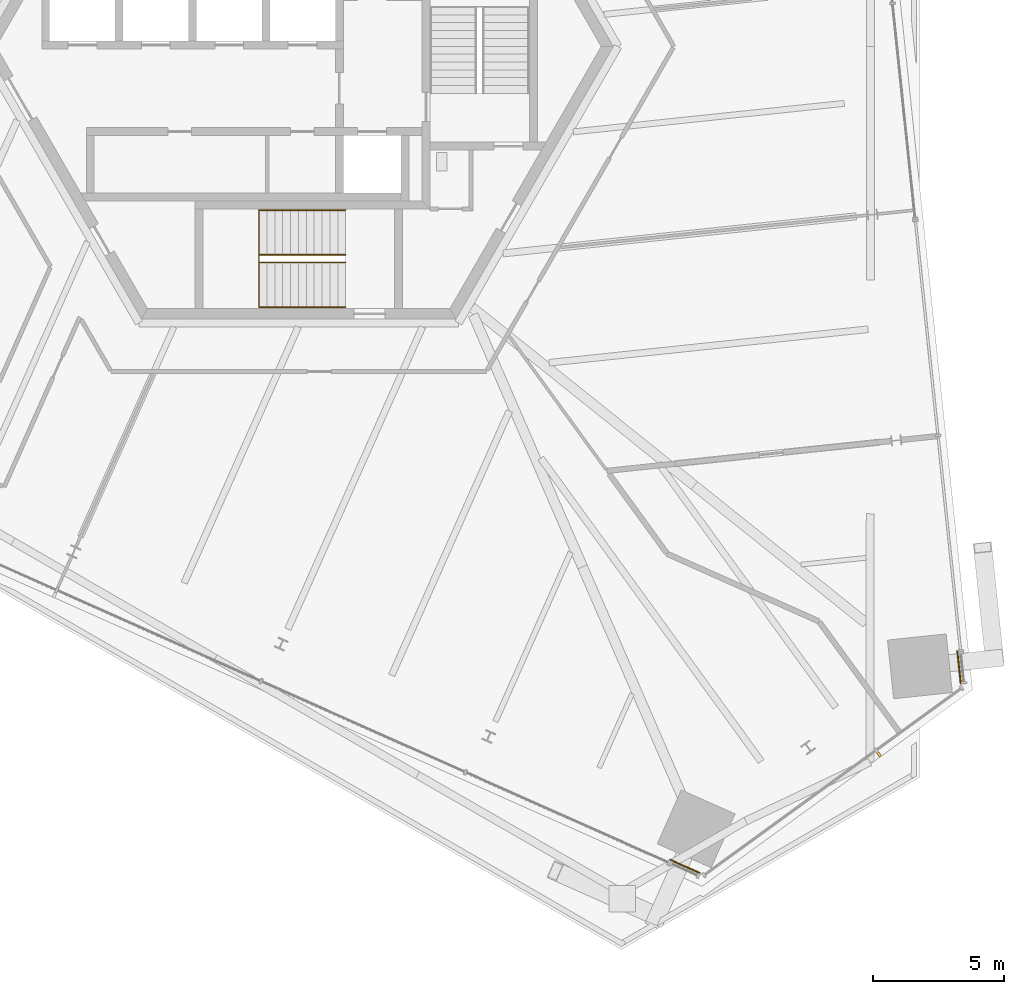
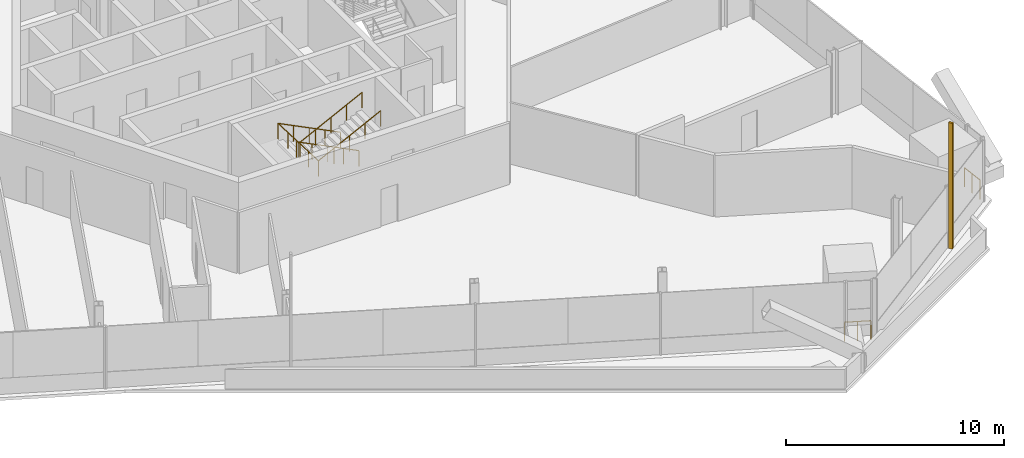
# One storey, part 21 of 24: 4 railings, 1 shading device.
"""IFC4 building model written with IfcOpenShell, lengths in metres."""

from ifc_helpers import new_model, si_unit, direction, frame, origin, origin_2d, place, context, subcontext, project, spatial, rectangle, circle, extrude, source, transform, mapped, material, type_object, element, save


model = new_model("IFC4")

# Units and contexts
model_context = context("Model", 3, precision=1e-05, world=origin(), true_north=direction((0.0, 1.0)))
body_context = subcontext(model_context, "Body", "Model", "MODEL_VIEW")
ifc_project = project(units=[si_unit("LENGTHUNIT", "METRE"), si_unit("AREAUNIT", "SQUARE_METRE"), si_unit("VOLUMEUNIT", "CUBIC_METRE"), si_unit("PLANEANGLEUNIT", "RADIAN"), si_unit("MASSUNIT", "GRAM", prefix="KILO")], contexts=[model_context])

# Site, building, storey
site_placement = place(None, origin())
site = spatial("IfcSite", under=ifc_project, at=site_placement, CompositionType="ELEMENT")
building_placement = place(site_placement, origin())
building = spatial("IfcBuilding", under=site, at=building_placement, Name="Triune Harvest Tower", CompositionType="ELEMENT")
storey_placement = place(building_placement, frame((0.0, 0.0, 58.5)))
storey = spatial("IfcBuildingStorey", under=building, at=storey_placement, Name="L13", CompositionType="ELEMENT", Elevation=58.5)

# Railings
ifc_material_1 = material(Name="Glass", Category="glass")
railing_type_1 = type_object("IfcRailingType", Name="GD-3 facade guard 1100", PredefinedType="GUARDRAIL", material=ifc_material_1)
railing_1_placement = place(storey_placement, frame((25.25, -24.27978515625, 0.0)))
element("IfcRailing", 1, at=railing_1_placement, inside=storey, type_object=railing_type_1, Name="Facade guard B2-F1 L13.1.1", PredefinedType="GUARDRAIL", context=body_context, shape_type="SweptSolid", body=[
    extrude(circle(Radius=0.02392578125, at=origin_2d()), frame((0.0, 0.0, 1.076171875), z_axis=(-0.104507952309, 0.994524050943, 0.0), x_axis=(-0.994524050943, -0.104507952309, 0.0)), (0.0, 0.0, 1.0), 1.2216796875),
    extrude(circle(Radius=0.02099609375, at=origin_2d()), origin(), (0.0, 0.0, 1.0), 1.052001953125),
    extrude(circle(Radius=0.02099609375, at=origin_2d()), frame((-0.06396484375, 0.607421875, 0.0)), (0.0, 0.0, 1.0), 1.052001953125),
    extrude(circle(Radius=0.02099609375, at=origin_2d()), frame((-0.127685546875, 1.215087890625, 0.0)), (0.0, 0.0, 1.0), 1.052001953125),
])
railing_2_placement = place(storey_placement, frame((14.17236328125, -31.02001953125, 0.0)))
element("IfcRailing", 2, at=railing_2_placement, inside=storey, type_object=railing_type_1, Name="Facade guard B2-F5 L13.1.2", PredefinedType="GUARDRAIL", context=body_context, shape_type="SweptSolid", body=[
    extrude(circle(Radius=0.02392578125, at=origin_2d()), frame((0.0, 0.0, 1.076171875), z_axis=(0.913547742242, -0.406731511744, 0.0), x_axis=(0.406731511744, 0.913547742242, 0.0)), (0.0, 0.0, 1.0), 1.22216796875),
    extrude(circle(Radius=0.02099609375, at=origin_2d()), origin(), (0.0, 0.0, 1.0), 1.052001953125),
    extrude(circle(Radius=0.02099609375, at=origin_2d()), frame((0.55810546875, -0.24853515625, 0.0)), (0.0, 0.0, 1.0), 1.052001953125),
    extrude(circle(Radius=0.02099609375, at=origin_2d()), frame((1.116455078125, -0.4970703125, 0.0)), (0.0, 0.0, 1.0), 1.052001953125),
])
ifc_material_2 = material(Name="Stainless steel AISI 316", Category="steel")
railing_type_2 = type_object("IfcRailingType", Name="Stair handrail", PredefinedType="HANDRAIL", material=ifc_material_2)
shared_shape_1 = source(origin(), body_context, "Body", "SweptSolid", [
    extrude(circle(Radius=0.02392578125, at=origin_2d()), frame((0.0, 0.0, 0.8759765625), z_axis=(-0.894413956696, 0.0, 0.447240063129), x_axis=(0.0, -1.0, 0.0)), (0.0, 0.0, 1.0), 3.689697265625),
    extrude(circle(Radius=0.02392578125, at=origin_2d()), frame((-3.300048828125, 0.0, 2.52587890625), z_axis=(0.0, -0.999180289278, 0.040481471304), x_axis=(1.0, 0.0, 0.0)), (0.0, 0.0, 1.0), 3.702880859375),
    extrude(circle(Radius=0.02392578125, at=origin_2d()), frame((-3.300048828125, -3.699951171875, 2.67578125), z_axis=(0.894413956696, 0.0, 0.447240063129), x_axis=(0.0, 1.0, 0.0)), (0.0, 0.0, 1.0), 3.689697265625),
    extrude(circle(Radius=0.02099609375, at=origin_2d()), origin(), (0.0, 0.0, 1.0), 0.851806640625),
    extrude(circle(Radius=0.02099609375, at=origin_2d()), frame((-0.824951171875, 0.0, 0.41259765625)), (0.0, 0.0, 1.0), 0.851806640625),
    extrude(circle(Radius=0.02099609375, at=origin_2d()), frame((-1.64990234375, 0.0, 0.8251953125)), (0.0, 0.0, 1.0), 0.851806640625),
    extrude(circle(Radius=0.02099609375, at=origin_2d()), frame((-2.47509765625, 0.0, 1.237548828125)), (0.0, 0.0, 1.0), 0.851806640625),
    extrude(circle(Radius=0.02099609375, at=origin_2d()), frame((-3.300048828125, 0.0, 1.650146484375)), (0.0, 0.0, 1.0), 0.851806640625),
    extrude(circle(Radius=0.02099609375, at=origin_2d()), frame((-3.300048828125, -0.925048828125, 1.6875)), (0.0, 0.0, 1.0), 0.851806640625),
    extrude(circle(Radius=0.02099609375, at=origin_2d()), frame((-3.300048828125, -1.85009765625, 1.72509765625)), (0.0, 0.0, 1.0), 0.851806640625),
    extrude(circle(Radius=0.02099609375, at=origin_2d()), frame((-3.300048828125, -2.77490234375, 1.7626953125)), (0.0, 0.0, 1.0), 0.851806640625),
    extrude(circle(Radius=0.02099609375, at=origin_2d()), frame((-3.300048828125, -3.699951171875, 1.800048828125)), (0.0, 0.0, 1.0), 0.851806640625),
    extrude(circle(Radius=0.02099609375, at=origin_2d()), frame((-2.47509765625, -3.699951171875, 2.212646484375)), (0.0, 0.0, 1.0), 0.851806640625),
    extrude(circle(Radius=0.02099609375, at=origin_2d()), frame((-1.64990234375, -3.699951171875, 2.625)), (0.0, 0.0, 1.0), 0.851806640625),
    extrude(circle(Radius=0.02099609375, at=origin_2d()), frame((-0.824951171875, -3.699951171875, 3.03759765625)), (0.0, 0.0, 1.0), 0.851806640625),
    extrude(circle(Radius=0.02099609375, at=origin_2d()), frame((0.0, -3.699951171875, 3.4501953125)), (0.0, 0.0, 1.0), 0.851806640625),
])
railing_3_placement = place(storey_placement, frame((1.7900390625, -6.239990234375, 0.14990234375)))
element("IfcRailing", 3, at=railing_3_placement, inside=storey, type_object=railing_type_2, Name="Exit stair south wall handrail", PredefinedType="HANDRAIL", context=body_context, shape_type="MappedRepresentation", body=[
    mapped(shared_shape_1, transform((0.0, 0.0, 0.0), scale=1.0)),
])
shared_shape_2 = source(origin(), body_context, "Body", "SweptSolid", [
    extrude(circle(Radius=0.02392578125, at=origin_2d()), frame((0.0, 0.0, 0.8759765625), z_axis=(-0.894413956696, 0.0, 0.447240063129), x_axis=(0.0, -1.0, 0.0)), (0.0, 0.0, 1.0), 3.689697265625),
    extrude(circle(Radius=0.02392578125, at=origin_2d()), frame((-3.300048828125, 0.0, 2.52587890625), z_axis=(0.0, -0.894572720946, 0.446922417137), x_axis=(1.0, 0.0, 0.0)), (0.0, 0.0, 1.0), 0.33544921875),
    extrude(circle(Radius=0.02392578125, at=origin_2d()), frame((-3.300048828125, -0.300048828125, 2.67578125), z_axis=(0.894413956696, 0.0, 0.447240063129), x_axis=(0.0, 1.0, 0.0)), (0.0, 0.0, 1.0), 3.689697265625),
    extrude(circle(Radius=0.02099609375, at=origin_2d()), origin(), (0.0, 0.0, 1.0), 0.851806640625),
    extrude(circle(Radius=0.02099609375, at=origin_2d()), frame((-0.824951171875, 0.0, 0.41259765625)), (0.0, 0.0, 1.0), 0.851806640625),
    extrude(circle(Radius=0.02099609375, at=origin_2d()), frame((-1.64990234375, 0.0, 0.8251953125)), (0.0, 0.0, 1.0), 0.851806640625),
    extrude(circle(Radius=0.02099609375, at=origin_2d()), frame((-2.47509765625, 0.0, 1.237548828125)), (0.0, 0.0, 1.0), 0.851806640625),
    extrude(circle(Radius=0.02099609375, at=origin_2d()), frame((-3.300048828125, 0.0, 1.650146484375)), (0.0, 0.0, 1.0), 0.851806640625),
    extrude(circle(Radius=0.02099609375, at=origin_2d()), frame((-3.300048828125, -0.300048828125, 1.800048828125)), (0.0, 0.0, 1.0), 0.851806640625),
    extrude(circle(Radius=0.02099609375, at=origin_2d()), frame((-2.47509765625, -0.300048828125, 2.212646484375)), (0.0, 0.0, 1.0), 0.851806640625),
    extrude(circle(Radius=0.02099609375, at=origin_2d()), frame((-1.64990234375, -0.300048828125, 2.625)), (0.0, 0.0, 1.0), 0.851806640625),
    extrude(circle(Radius=0.02099609375, at=origin_2d()), frame((-0.824951171875, -0.300048828125, 3.03759765625)), (0.0, 0.0, 1.0), 0.851806640625),
    extrude(circle(Radius=0.02099609375, at=origin_2d()), frame((0.0, -0.300048828125, 3.4501953125)), (0.0, 0.0, 1.0), 0.851806640625),
])
railing_4_placement = place(storey_placement, frame((1.7900390625, -7.93994140625, 0.14990234375)))
element("IfcRailing", 4, at=railing_4_placement, inside=storey, type_object=railing_type_2, Name="Exit stair south centre handrail", PredefinedType="HANDRAIL", context=body_context, shape_type="MappedRepresentation", body=[
    mapped(shared_shape_2, transform((0.0, 0.0, 0.0), scale=1.0)),
])

# Shading device
ifc_material_3 = material(Name="Aluminium bronze anodised", Category="aluminium")
shared_shape_3 = source(origin(), body_context, "Body", "SweptSolid", [
    extrude(rectangle(XDim=0.10009765625, YDim=0.199951171875, at=origin_2d()), origin(), (0.0, 0.0, 1.0), 7.0400390625),
])
shading_device_placement = place(storey_placement, frame((22.135986328125, -27.00244140625, 0.0), z_axis=(0.0, 0.0, 1.0), x_axis=(0.809013235692, 0.58779042564, 0.0)))
element("IfcShadingDevice", 5, at=shading_device_placement, inside=storey, material=ifc_material_3, Name="FN-1 fin B2-F6.3 L13", ObjectType="FIN", PredefinedType="USERDEFINED", context=body_context, shape_type="MappedRepresentation", body=[
    mapped(shared_shape_3, transform((0.0, 0.0, 0.0), scale=1.0)),
])

save(model, "model.ifc")
